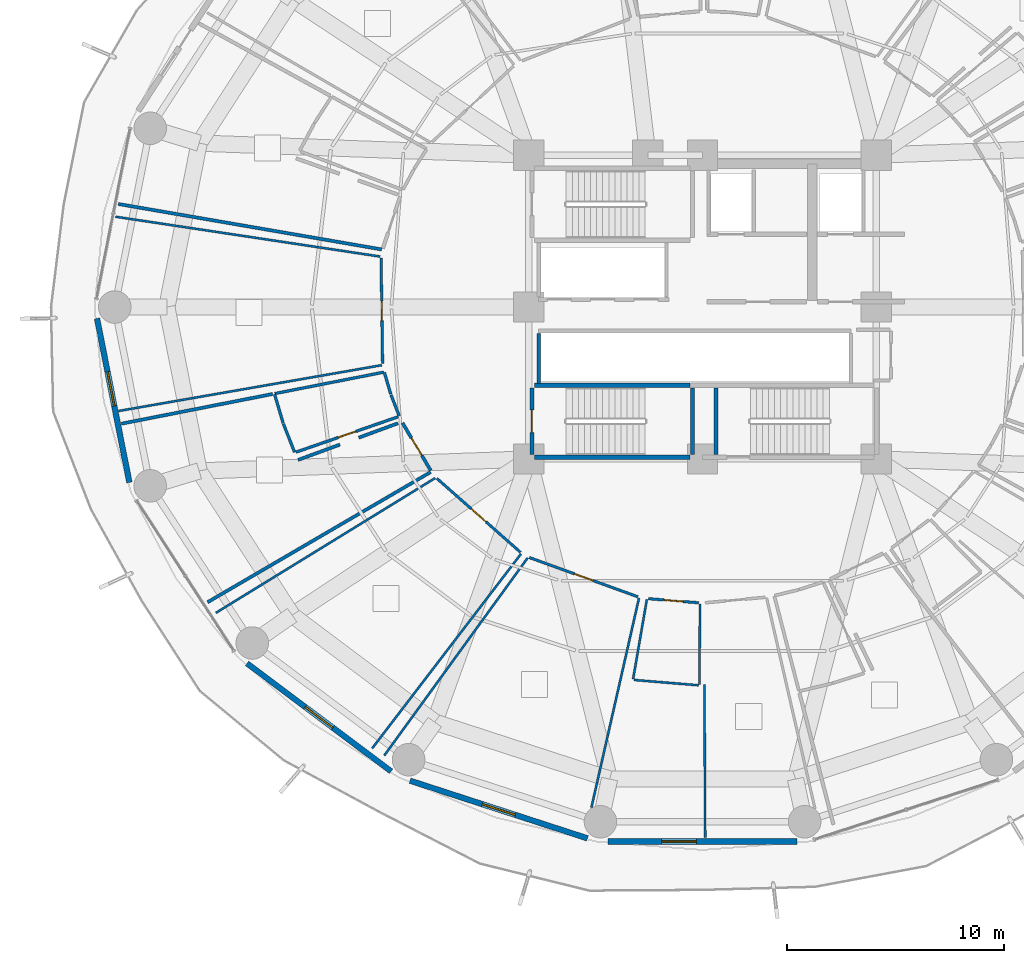
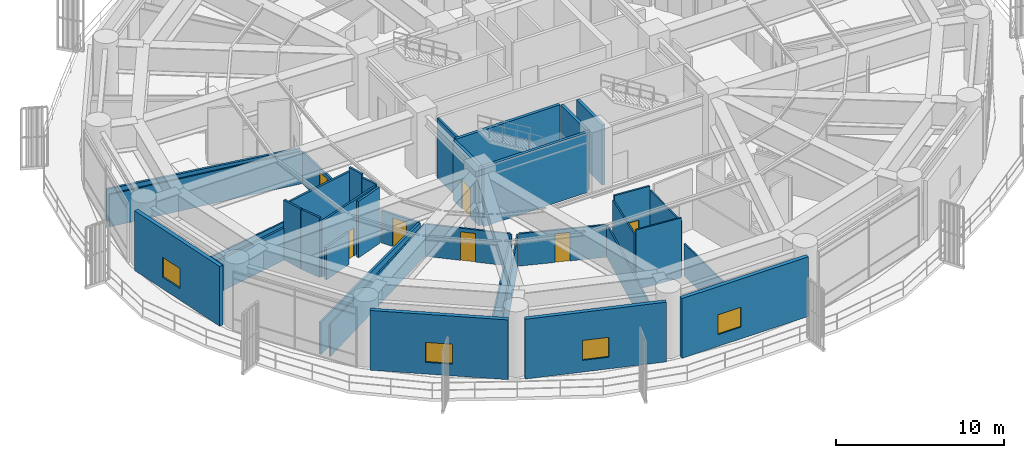
# One storey, part 21 of 31: 36 walls, 7 doors, 4 windows, 11 openings.
"""IFC4 building model written with IfcOpenShell, lengths in metres."""

from ifc_helpers import new_model, si_unit, direction, frame, frame_2d, origin, place, context, subcontext, project, spatial, rectangle, extrude, material, layer, layer_set, type_object, element, fill, save


model = new_model("IFC4")

# Units and contexts
model_context = context("Model", 3, precision=1e-05, world=origin(), true_north=direction((0.0, 1.0)))
body_context = subcontext(model_context, "Body", "Model", "MODEL_VIEW")
ifc_project = project(units=[si_unit("LENGTHUNIT", "METRE"), si_unit("AREAUNIT", "SQUARE_METRE"), si_unit("VOLUMEUNIT", "CUBIC_METRE"), si_unit("PLANEANGLEUNIT", "RADIAN"), si_unit("MASSUNIT", "GRAM", prefix="KILO")], contexts=[model_context])

# Site, building, storey
site_placement = place(None, origin())
site = spatial("IfcSite", under=ifc_project, at=site_placement, CompositionType="ELEMENT")
building_placement = place(site_placement, origin())
building = spatial("IfcBuilding", under=site, at=building_placement, Name="Kelanora Arch Commons", CompositionType="ELEMENT")
storey_placement = place(building_placement, frame((0.0, 0.0, 67.5)))
storey = spatial("IfcBuildingStorey", under=building, at=storey_placement, Name="L17", CompositionType="ELEMENT", Elevation=67.5)

# Wall
ifc_material_1 = material(Name="Autoclaved aerated concrete blockwork with fire plaster", Category="masonry")
ifc_layer_1 = layer(ifc_material_1, 0.14990234375)
ifc_layer_set_1 = layer_set([ifc_layer_1], Name="Autoclaved aerated concrete blockwork with fire plaster")
wall_type_1 = type_object("IfcWallType", Name="W-COMP-150", PredefinedType="PARTITIONING", material=ifc_layer_set_1)
wall_1_placement = place(storey_placement, frame((66.4599609375, 54.47998046875, 0.0), z_axis=(0.0, 0.0, 1.0), x_axis=(0.0, 1.0, 0.0)))
element("IfcWall", 1, at=wall_1_placement, inside=storey, type_object=wall_type_1, Name="South Lift Bank West Wall L17", PredefinedType="PARTITIONING", context=body_context, shape_type="SweptSolid", body=[
    extrude(rectangle(XDim=2.2900390625, YDim=0.14990234375, at=frame_2d((1.14501953125, 0.0))), origin(), (0.0, 0.0, 1.0), 4.35009765625),
])

# Wall, opening, door
wall_2_placement = place(storey_placement, frame((60.1787109375, 52.659423828125, 0.0), z_axis=(0.0, 0.0, 1.0), x_axis=(0.510684908265, -0.859767948036, 0.0)))
wall_2 = element("IfcWall", 2, at=wall_2_placement, inside=storey, type_object=wall_type_1, Name="Co-Living Studio L17-09 Entry Partition", PredefinedType="PARTITIONING", context=body_context, shape_type="SweptSolid", body=[
    extrude(rectangle(XDim=2.547119140625, YDim=0.14990234375, at=frame_2d((1.2734375, 0.0))), origin(), (0.0, 0.0, 1.0), 2.344970703125),
])
opening_1_placement = place(wall_2_placement, frame((0.799072265625, 0.0, 0.0)))
opening_1 = element("IfcOpeningElement", 3, at=opening_1_placement, cuts=wall_2, Name="Opening D-CLU1", PredefinedType="OPENING", context=body_context, shape_type="SweptSolid", body=[
    extrude(rectangle(XDim=0.949951171875, YDim=2.080078125, at=frame_2d((0.47509765625, 1.0400390625))), frame((0.0, 0.0849609375, 0.0), z_axis=(0.0, -1.0, 0.0), x_axis=(1.0, 0.0, 0.0)), (0.0, 0.0, 1.0), 0.169921875),
])
ifc_material_2 = material(Name="Solid-core acoustic timber cluster entry fire door", Category="wood")
door_type_1 = type_object("IfcDoorType", Name="D-CLU-95", OperationType="NOTDEFINED", PredefinedType="DOOR", material=ifc_material_2)
door_1_placement = place(opening_1_placement, origin())
door_1 = element("IfcDoor", 4, at=door_1_placement, inside=storey, type_object=door_type_1, Name="Co-Living Studio L17-09 Door", OperationType="SINGLE_SWING_LEFT", OverallHeight=2.080078125, OverallWidth=0.949951171875, PredefinedType="DOOR", context=body_context, shape_type="SweptSolid", body=[
    extrude(rectangle(XDim=0.949951171875, YDim=2.080078125, at=frame_2d((0.47509765625, 1.0400390625))), frame((0.0, 0.02490234375, 0.0), z_axis=(0.0, -1.0, 0.0), x_axis=(1.0, 0.0, 0.0)), (0.0, 0.0, 1.0), 0.050048828125),
])
fill(opening_1, door_1)

# Walls
wall_3_placement = place(storey_placement, frame((59.216552734375, 60.65380859375, 0.0), z_axis=(0.0, 0.0, 1.0), x_axis=(-0.985427357527, 0.170096804898, 0.0)))
element("IfcWall", 5, at=wall_3_placement, inside=storey, type_object=wall_type_1, Name="Co-Living Studio L17-07 Enclosure Partition 2", PredefinedType="PARTITIONING", context=body_context, shape_type="SweptSolid", body=[
    extrude(rectangle(XDim=12.3134765625, YDim=0.14990234375, at=frame_2d((6.15673828125, 0.0))), origin(), (0.0, 0.0, 1.0), 2.344970703125),
])
wall_4_placement = place(storey_placement, frame((61.4755859375, 50.397705078125, 0.0), z_axis=(0.0, 0.0, 1.0), x_axis=(-0.863734985538, -0.503946301462, 0.0)))
element("IfcWall", 6, at=wall_4_placement, inside=storey, type_object=wall_type_1, Name="Co-Living Studio L17-09 Enclosure Partition 2", PredefinedType="PARTITIONING", context=body_context, shape_type="SweptSolid", body=[
    extrude(rectangle(XDim=11.897216796875, YDim=0.14990234375, at=frame_2d((5.94873046875, 0.0))), origin(), (0.0, 0.0, 1.0), 2.344970703125),
])
wall_5_placement = place(storey_placement, frame((47.231201171875, 52.625732421875, 0.0), z_axis=(0.0, 0.0, 1.0), x_axis=(0.98124289703, 0.192775457535, 0.0)))
element("IfcWall", 7, at=wall_5_placement, inside=storey, type_object=wall_type_1, Name="Co-Living Studio L17-09 Enclosure Partition 5", PredefinedType="PARTITIONING", context=body_context, shape_type="SweptSolid", body=[
    extrude(rectangle(XDim=7.099609375, YDim=0.14990234375, at=frame_2d((3.5498046875, 0.0))), origin(), (0.0, 0.0, 1.0), 2.344970703125),
])
wall_6_placement = place(storey_placement, frame((55.366455078125, 50.955810546875, 0.0), z_axis=(0.0, 0.0, 1.0), x_axis=(0.938773982481, 0.344533612028, 0.0)))
element("IfcWall", 8, at=wall_6_placement, inside=storey, type_object=wall_type_1, Name="Co-Living Studio L17-09 Enclosure Partition 7", PredefinedType="PARTITIONING", context=body_context, shape_type="SweptSolid", body=[
    extrude(rectangle(XDim=2.05712890625, YDim=0.14990234375, at=frame_2d((1.028564453125, 0.0))), origin(), (0.0, 0.0, 1.0), 2.344970703125),
])
wall_7_placement = place(storey_placement, frame((58.161376953125, 51.981689453125, 0.0), z_axis=(0.0, 0.0, 1.0), x_axis=(0.938736795894, 0.344634919931, 0.0)))
element("IfcWall", 9, at=wall_7_placement, inside=storey, type_object=wall_type_1, Name="Co-Living Studio L17-09 Enclosure Partition 7", PredefinedType="PARTITIONING", context=body_context, shape_type="SweptSolid", body=[
    extrude(rectangle(XDim=1.924072265625, YDim=0.14990234375, at=frame_2d((0.9619140625, 0.0))), origin(), (0.0, 0.0, 1.0), 4.10498046875),
])

# Wall, opening, window
ifc_material_3 = material(Name="Precast concrete C40/50 with terracotta rainscreen", Category="masonry")
ifc_layer_2 = layer(ifc_material_3, 0.260009765625)
ifc_layer_set_2 = layer_set([ifc_layer_2], Name="Precast concrete C40/50 with terracotta rainscreen")
wall_type_2 = type_object("IfcWallType", Name="W-EXT-TC", PredefinedType="SOLIDWALL", material=ifc_layer_set_2)
wall_8_placement = place(storey_placement, frame((46.103515625, 57.4765625, 0.0), z_axis=(0.0, 0.0, 1.0), x_axis=(0.193726159581, -0.98105564322, 0.0)))
wall_8 = element("IfcWall", 10, at=wall_8_placement, inside=storey, type_object=wall_type_2, Name="Terracotta Exterior Wall L17-B09", PredefinedType="SOLIDWALL", context=body_context, shape_type="SweptSolid", body=[
    extrude(rectangle(XDim=7.70263671875, YDim=0.260009765625, at=frame_2d((3.851318359375, 0.0))), origin(), (0.0, 0.0, 1.0), 4.344970703125),
])
opening_2_placement = place(wall_8_placement, frame((2.510986328125, 0.0, 0.85009765625)))
opening_2 = element("IfcOpeningElement", 11, at=opening_2_placement, cuts=wall_8, Name="Opening WN-01", PredefinedType="OPENING", context=body_context, shape_type="SweptSolid", body=[
    extrude(rectangle(XDim=1.60009765625, YDim=1.449951171875, at=frame_2d((0.800048828125, 0.72509765625))), frame((0.0, 0.14013671875, 0.0), z_axis=(0.0, -1.0, 0.0), x_axis=(1.0, 0.0, 0.0)), (0.0, 0.0, 1.0), 0.280029296875),
])
ifc_material_4 = material(Name="Terracotta-anodised aluminium frame with operable low-E glazing", Category="masonry")
window_type = type_object("IfcWindowType", Name="WIN-CL-18", PartitioningType="DOUBLE_PANEL_VERTICAL", PredefinedType="WINDOW", material=ifc_material_4)
window_1_placement = place(opening_2_placement, origin())
window_1 = element("IfcWindow", 12, at=window_1_placement, inside=storey, type_object=window_type, Name="Co-Living Operable Window L17-B09", OverallHeight=1.449951171875, OverallWidth=1.60009765625, PartitioningType="SINGLE_PANEL", PredefinedType="WINDOW", context=body_context, shape_type="SweptSolid", body=[
    extrude(rectangle(XDim=1.60009765625, YDim=1.449951171875, at=frame_2d((0.800048828125, 0.72509765625))), frame((0.0, 0.030029296875, 0.0), z_axis=(0.0, -1.0, 0.0), x_axis=(1.0, 0.0, 0.0)), (0.0, 0.0, 1.0), 0.06005859375),
])
fill(opening_2, window_1)

wall_9_placement = place(storey_placement, frame((53.01611328125, 41.581787109375, 0.0), z_axis=(0.0, 0.0, 1.0), x_axis=(0.80030733173, -0.599590005569, 0.0)))
wall_9 = element("IfcWall", 13, at=wall_9_placement, inside=storey, type_object=wall_type_2, Name="Terracotta Exterior Wall L17-B11", PredefinedType="SOLIDWALL", context=body_context, shape_type="SweptSolid", body=[
    extrude(rectangle(XDim=8.29052734375, YDim=0.260009765625, at=frame_2d((4.145263671875, 0.0))), origin(), (0.0, 0.0, 1.0), 4.344970703125),
])
opening_3_placement = place(wall_9_placement, frame((3.344970703125, 0.0, 0.85009765625)))
opening_3 = element("IfcOpeningElement", 14, at=opening_3_placement, cuts=wall_9, Name="Opening WN-01", PredefinedType="OPENING", context=body_context, shape_type="SweptSolid", body=[
    extrude(rectangle(XDim=1.60009765625, YDim=1.449951171875, at=frame_2d((0.800048828125, 0.72509765625))), frame((0.0, 0.14013671875, 0.0), z_axis=(0.0, -1.0, 0.0), x_axis=(1.0, 0.0, 0.0)), (0.0, 0.0, 1.0), 0.280029296875),
])
window_2_placement = place(opening_3_placement, origin())
window_2 = element("IfcWindow", 15, at=window_2_placement, inside=storey, type_object=window_type, Name="Co-Living Operable Window L17-B11", OverallHeight=1.449951171875, OverallWidth=1.60009765625, PartitioningType="SINGLE_PANEL", PredefinedType="WINDOW", context=body_context, shape_type="SweptSolid", body=[
    extrude(rectangle(XDim=1.60009765625, YDim=1.449951171875, at=frame_2d((0.800048828125, 0.72509765625))), frame((0.0, 0.030029296875, 0.0), z_axis=(0.0, -1.0, 0.0), x_axis=(1.0, 0.0, 0.0)), (0.0, 0.0, 1.0), 0.06005859375),
])
fill(opening_3, window_2)

wall_10_placement = place(storey_placement, frame((60.5263671875, 36.178466796875, 0.0), z_axis=(0.0, 0.0, 1.0), x_axis=(0.951039914291, -0.309068085421, 0.0)))
wall_10 = element("IfcWall", 16, at=wall_10_placement, inside=storey, type_object=wall_type_2, Name="Terracotta Exterior Wall L17-B12", PredefinedType="SOLIDWALL", context=body_context, shape_type="SweptSolid", body=[
    extrude(rectangle(XDim=8.593505859375, YDim=0.260009765625, at=frame_2d((4.296875, 0.0))), origin(), (0.0, 0.0, 1.0), 4.344970703125),
])
opening_4_placement = place(wall_10_placement, frame((3.4970703125, 0.0, 0.85009765625)))
opening_4 = element("IfcOpeningElement", 17, at=opening_4_placement, cuts=wall_10, Name="Opening WN-01", PredefinedType="OPENING", context=body_context, shape_type="SweptSolid", body=[
    extrude(rectangle(XDim=1.60009765625, YDim=1.449951171875, at=frame_2d((0.800048828125, 0.72509765625))), frame((0.0, 0.14013671875, 0.0), z_axis=(0.0, -1.0, 0.0), x_axis=(1.0, 0.0, 0.0)), (0.0, 0.0, 1.0), 0.280029296875),
])
window_3_placement = place(opening_4_placement, origin())
window_3 = element("IfcWindow", 18, at=window_3_placement, inside=storey, type_object=window_type, Name="Co-Living Operable Window L17-B12", OverallHeight=1.449951171875, OverallWidth=1.60009765625, PartitioningType="SINGLE_PANEL", PredefinedType="WINDOW", context=body_context, shape_type="SweptSolid", body=[
    extrude(rectangle(XDim=1.60009765625, YDim=1.449951171875, at=frame_2d((0.800048828125, 0.72509765625))), frame((0.0, 0.030029296875, 0.0), z_axis=(0.0, -1.0, 0.0), x_axis=(1.0, 0.0, 0.0)), (0.0, 0.0, 1.0), 0.06005859375),
])
fill(opening_4, window_3)

wall_11_placement = place(storey_placement, frame((69.64404296875, 33.3798828125, 0.0), z_axis=(0.0, 0.0, 1.0), x_axis=(1.0, 0.0, 0.0)))
wall_11 = element("IfcWall", 19, at=wall_11_placement, inside=storey, type_object=wall_type_2, Name="Terracotta Exterior Wall L17-B13", PredefinedType="SOLIDWALL", context=body_context, shape_type="SweptSolid", body=[
    extrude(rectangle(XDim=8.7119140625, YDim=0.260009765625, at=frame_2d((4.35595703125, 0.0))), origin(), (0.0, 0.0, 1.0), 4.344970703125),
])
opening_5_placement = place(wall_11_placement, frame((2.47607421875, 0.0, 0.85009765625)))
opening_5 = element("IfcOpeningElement", 20, at=opening_5_placement, cuts=wall_11, Name="Opening WN-01", PredefinedType="OPENING", context=body_context, shape_type="SweptSolid", body=[
    extrude(rectangle(XDim=1.60009765625, YDim=1.449951171875, at=frame_2d((0.800048828125, 0.72509765625))), frame((0.0, 0.14013671875, 0.0), z_axis=(0.0, -1.0, 0.0), x_axis=(1.0, 0.0, 0.0)), (0.0, 0.0, 1.0), 0.280029296875),
])
window_4_placement = place(opening_5_placement, origin())
window_4 = element("IfcWindow", 21, at=window_4_placement, inside=storey, type_object=window_type, Name="Co-Living Operable Window L17-B13", OverallHeight=1.449951171875, OverallWidth=1.60009765625, PartitioningType="SINGLE_PANEL", PredefinedType="WINDOW", context=body_context, shape_type="SweptSolid", body=[
    extrude(rectangle(XDim=1.60009765625, YDim=1.449951171875, at=frame_2d((0.800048828125, 0.72509765625))), frame((0.0, 0.030029296875, 0.0), z_axis=(0.0, -1.0, 0.0), x_axis=(1.0, 0.0, 0.0)), (0.0, 0.0, 1.0), 0.06005859375),
])
fill(opening_5, window_4)

# Walls
ifc_material_5 = material(Name="Lightweight fire-rated acoustic stud partition")
ifc_layer_3 = layer(ifc_material_5, 0.10009765625)
ifc_layer_set_3 = layer_set([ifc_layer_3], Name="Lightweight fire-rated acoustic stud partition")
wall_type_3 = type_object("IfcWallType", Name="W-PART-100", PredefinedType="PARTITIONING", material=ifc_layer_set_3)
wall_12_placement = place(storey_placement, frame((59.2216796875, 55.322021484375, 0.0), z_axis=(0.0, 0.0, 1.0), x_axis=(-0.985176076522, -0.171546198583, 0.0)))
element("IfcWall", 22, at=wall_12_placement, inside=storey, type_object=wall_type_3, Name="Communal Dining and Social Hall L17-08 Enclosure Partition 2", PredefinedType="PARTITIONING", context=body_context, shape_type="SweptSolid", body=[
    extrude(rectangle(XDim=12.31201171875, YDim=0.10009765625, at=frame_2d((6.156005859375, 0.0))), origin(), (0.0, 0.0, 1.0), 2.344970703125),
])
wall_13_placement = place(storey_placement, frame((46.960693359375, 62.160888671875, 0.0), z_axis=(0.0, 0.0, 1.0), x_axis=(0.988857033015, -0.14886829164, 0.0)))
element("IfcWall", 23, at=wall_13_placement, inside=storey, type_object=wall_type_3, Name="Communal Dining and Social Hall L17-08 Enclosure Partition 4", PredefinedType="PARTITIONING", context=body_context, shape_type="SweptSolid", body=[
    extrude(rectangle(XDim=12.326171875, YDim=0.10009765625, at=frame_2d((6.1630859375, 0.0))), origin(), (0.0, 0.0, 1.0), 2.344970703125),
])
wall_14_placement = place(storey_placement, frame((65.63671875, 46.628173828125, 0.0), z_axis=(0.0, 0.0, 1.0), x_axis=(-0.607772837178, -0.79411093582, 0.0)))
element("IfcWall", 24, at=wall_14_placement, inside=storey, type_object=wall_type_3, Name="Quiet Seminar Study Room L17-10 Enclosure Partition 2", PredefinedType="PARTITIONING", context=body_context, shape_type="SweptSolid", body=[
    extrude(rectangle(XDim=11.2861328125, YDim=0.10009765625, at=frame_2d((5.64306640625, 0.0))), origin(), (0.0, 0.0, 1.0), 2.344970703125),
])
wall_15_placement = place(storey_placement, frame((51.5791015625, 43.909912109375, 0.0), z_axis=(0.0, 0.0, 1.0), x_axis=(0.851889323335, 0.523721854412, 0.0)))
element("IfcWall", 25, at=wall_15_placement, inside=storey, type_object=wall_type_3, Name="Quiet Seminar Study Room L17-10 Enclosure Partition 4", PredefinedType="PARTITIONING", context=body_context, shape_type="SweptSolid", body=[
    extrude(rectangle(XDim=11.861572265625, YDim=0.10009765625, at=frame_2d((5.9306640625, 0.0))), origin(), (0.0, 0.0, 1.0), 2.344970703125),
])
wall_16_placement = place(storey_placement, frame((71.072021484375, 44.591064453125, 0.0), z_axis=(0.0, 0.0, 1.0), x_axis=(-0.221583796209, -0.975141333991, 0.0)))
element("IfcWall", 26, at=wall_16_placement, inside=storey, type_object=wall_type_3, Name="Quiet Seminar Study Room L17-11 Enclosure Partition 2", PredefinedType="PARTITIONING", context=body_context, shape_type="SweptSolid", body=[
    extrude(rectangle(XDim=9.899658203125, YDim=0.10009765625, at=frame_2d((4.94970703125, 0.0))), origin(), (0.0, 0.0, 1.0), 2.344970703125),
])
wall_17_placement = place(storey_placement, frame((59.339599609375, 37.34033203125, 0.0), z_axis=(0.0, 0.0, 1.0), x_axis=(0.587198342421, 0.809443084261, 0.0)))
element("IfcWall", 27, at=wall_17_placement, inside=storey, type_object=wall_type_3, Name="Quiet Seminar Study Room L17-11 Enclosure Partition 4", PredefinedType="PARTITIONING", context=body_context, shape_type="SweptSolid", body=[
    extrude(rectangle(XDim=11.25, YDim=0.10009765625, at=frame_2d((5.625, 0.0))), origin(), (0.0, 0.0, 1.0), 2.344970703125),
])
wall_18_placement = place(storey_placement, frame((73.8837890625, 44.330078125, 0.0), z_axis=(0.0, 0.0, 1.0), x_axis=(-0.007943030453, -0.999968453636, 0.0)))
element("IfcWall", 28, at=wall_18_placement, inside=storey, type_object=wall_type_3, Name="Student Laundry Room L17-12 Enclosure Partition 2", PredefinedType="PARTITIONING", context=body_context, shape_type="SweptSolid", body=[
    extrude(rectangle(XDim=3.718994140625, YDim=0.10009765625, at=frame_2d((1.859375, 0.0))), origin(), (0.0, 0.0, 1.0), 4.044921875),
])
wall_19_placement = place(storey_placement, frame((73.814208984375, 40.57421875, 0.0), z_axis=(0.0, 0.0, 1.0), x_axis=(-0.996592348138, 0.08248449329, 0.0)))
element("IfcWall", 29, at=wall_19_placement, inside=storey, type_object=wall_type_3, Name="Student Laundry Room L17-12 Enclosure Partition 3", PredefinedType="PARTITIONING", context=body_context, shape_type="SweptSolid", body=[
    extrude(rectangle(XDim=2.989501953125, YDim=0.10009765625, at=frame_2d((1.49462890625, 0.0))), origin(), (0.0, 0.0, 1.0), 4.35009765625),
])
wall_20_placement = place(storey_placement, frame((70.8017578125, 40.86328125, 0.0), z_axis=(0.0, 0.0, 1.0), x_axis=(0.170280460959, 0.985395638622, 0.0)))
element("IfcWall", 30, at=wall_20_placement, inside=storey, type_object=wall_type_3, Name="Student Laundry Room L17-12 Enclosure Partition 4", PredefinedType="PARTITIONING", context=body_context, shape_type="SweptSolid", body=[
    extrude(rectangle(XDim=3.720703125, YDim=0.10009765625, at=frame_2d((1.8603515625, 0.0))), origin(), (0.0, 0.0, 1.0), 4.044921875),
])
wall_21_placement = place(storey_placement, frame((74.122802734375, 33.56005859375, 0.0), z_axis=(0.0, 0.0, 1.0), x_axis=(-0.005160461886, 0.999986684728, 0.0)))
element("IfcWall", 31, at=wall_21_placement, inside=storey, type_object=wall_type_3, Name="Quiet Reading Carrel L17-12 Enclosure Partition 4", PredefinedType="PARTITIONING", context=body_context, shape_type="SweptSolid", body=[
    extrude(rectangle(XDim=7.049072265625, YDim=0.10009765625, at=frame_2d((3.5244140625, 0.0))), origin(), (0.0, 0.0, 1.0), 2.344970703125),
])

# Wall, opening, door
ifc_material_6 = material(Name="Acoustic twin-stud fire-rated gypsum partition")
ifc_layer_4 = layer(ifc_material_6, 0.1201171875)
ifc_layer_set_4 = layer_set([ifc_layer_4], Name="Acoustic twin-stud fire-rated gypsum partition")
wall_type_4 = type_object("IfcWallType", Name="W-PART-120", PredefinedType="PARTITIONING", material=ifc_layer_set_4)
wall_22_placement = place(storey_placement, frame((59.18994140625, 60.260009765625, 0.0), z_axis=(0.0, 0.0, 1.0), x_axis=(0.014383034903, -0.999896558803, 0.0)))
wall_22 = element("IfcWall", 32, at=wall_22_placement, inside=storey, type_object=wall_type_4, Name="Communal Dining and Social Hall L17-08 Entry Partition", PredefinedType="PARTITIONING", context=body_context, shape_type="SweptSolid", body=[
    extrude(rectangle(XDim=4.87158203125, YDim=0.1201171875, at=frame_2d((2.435791015625, 0.0))), origin(), (0.0, 0.0, 1.0), 2.344970703125),
])
opening_6_placement = place(wall_22_placement, frame((1.986083984375, 0.0, 0.0)))
opening_6 = element("IfcOpeningElement", 33, at=opening_6_placement, cuts=wall_22, Name="Opening D-RM1", PredefinedType="OPENING", context=body_context, shape_type="SweptSolid", body=[
    extrude(rectangle(XDim=0.89990234375, YDim=2.080078125, at=frame_2d((0.449951171875, 1.0400390625))), frame((0.0, 0.070068359375, 0.0), z_axis=(0.0, -1.0, 0.0), x_axis=(1.0, 0.0, 0.0)), (0.0, 0.0, 1.0), 0.14013671875),
])
ifc_material_7 = material(Name="Acoustic fire-rated timber study and lounge door", Category="wood")
door_type_2 = type_object("IfcDoorType", Name="D-ROOM-90", OperationType="NOTDEFINED", PredefinedType="DOOR", material=ifc_material_7)
door_2_placement = place(opening_6_placement, origin())
door_2 = element("IfcDoor", 34, at=door_2_placement, inside=storey, type_object=door_type_2, Name="Communal Dining and Social Hall L17-08 Door", OperationType="SINGLE_SWING_LEFT", OverallHeight=2.080078125, OverallWidth=0.89990234375, PredefinedType="DOOR", context=body_context, shape_type="SweptSolid", body=[
    extrude(rectangle(XDim=0.89990234375, YDim=2.080078125, at=frame_2d((0.449951171875, 1.0400390625))), frame((0.0, 0.02490234375, 0.0), z_axis=(0.0, -1.0, 0.0), x_axis=(1.0, 0.0, 0.0)), (0.0, 0.0, 1.0), 0.050048828125),
])
fill(opening_6, door_2)

wall_23_placement = place(storey_placement, frame((61.762939453125, 50.103271484375, 0.0), z_axis=(0.0, 0.0, 1.0), x_axis=(0.749467713759, -0.662040894532, 0.0)))
wall_23 = element("IfcWall", 35, at=wall_23_placement, inside=storey, type_object=wall_type_4, Name="Quiet Seminar Study Room L17-10 Entry Partition", PredefinedType="PARTITIONING", context=body_context, shape_type="SweptSolid", body=[
    extrude(rectangle(XDim=5.14111328125, YDim=0.1201171875, at=frame_2d((2.570556640625, 0.0))), origin(), (0.0, 0.0, 1.0), 2.344970703125),
])
opening_7_placement = place(wall_23_placement, frame((2.12109375, 0.0, 0.0)))
opening_7 = element("IfcOpeningElement", 36, at=opening_7_placement, cuts=wall_23, Name="Opening D-RM1", PredefinedType="OPENING", context=body_context, shape_type="SweptSolid", body=[
    extrude(rectangle(XDim=0.89990234375, YDim=2.080078125, at=frame_2d((0.449951171875, 1.0400390625))), frame((0.0, 0.070068359375, 0.0), z_axis=(0.0, -1.0, 0.0), x_axis=(1.0, 0.0, 0.0)), (0.0, 0.0, 1.0), 0.14013671875),
])
door_3_placement = place(opening_7_placement, origin())
door_3 = element("IfcDoor", 37, at=door_3_placement, inside=storey, type_object=door_type_2, Name="Quiet Seminar Study Room L17-10 Door", OperationType="SINGLE_SWING_RIGHT", OverallHeight=2.080078125, OverallWidth=0.89990234375, PredefinedType="DOOR", context=body_context, shape_type="SweptSolid", body=[
    extrude(rectangle(XDim=0.89990234375, YDim=2.080078125, at=frame_2d((0.449951171875, 1.0400390625))), frame((0.0, 0.02490234375, 0.0), z_axis=(0.0, -1.0, 0.0), x_axis=(1.0, 0.0, 0.0)), (0.0, 0.0, 1.0), 0.050048828125),
])
fill(opening_7, door_3)

wall_24_placement = place(storey_placement, frame((66.025390625, 46.45849609375, 0.0), z_axis=(0.0, 0.0, 1.0), x_axis=(0.940384663849, -0.340112751891, 0.0)))
wall_24 = element("IfcWall", 38, at=wall_24_placement, inside=storey, type_object=wall_type_4, Name="Quiet Seminar Study Room L17-11 Entry Partition", PredefinedType="PARTITIONING", context=body_context, shape_type="SweptSolid", body=[
    extrude(rectangle(XDim=5.316162109375, YDim=0.1201171875, at=frame_2d((2.658203125, 0.0))), origin(), (0.0, 0.0, 1.0), 2.344970703125),
])
opening_8_placement = place(wall_24_placement, frame((2.2080078125, 0.0, 0.0)))
opening_8 = element("IfcOpeningElement", 39, at=opening_8_placement, cuts=wall_24, Name="Opening D-RM1", PredefinedType="OPENING", context=body_context, shape_type="SweptSolid", body=[
    extrude(rectangle(XDim=0.89990234375, YDim=2.080078125, at=frame_2d((0.449951171875, 1.0400390625))), frame((0.0, 0.070068359375, 0.0), z_axis=(0.0, -1.0, 0.0), x_axis=(1.0, 0.0, 0.0)), (0.0, 0.0, 1.0), 0.14013671875),
])
door_4_placement = place(opening_8_placement, origin())
door_4 = element("IfcDoor", 40, at=door_4_placement, inside=storey, type_object=door_type_2, Name="Quiet Seminar Study Room L17-11 Door", OperationType="SINGLE_SWING_LEFT", OverallHeight=2.080078125, OverallWidth=0.89990234375, PredefinedType="DOOR", context=body_context, shape_type="SweptSolid", body=[
    extrude(rectangle(XDim=0.89990234375, YDim=2.080078125, at=frame_2d((0.449951171875, 1.0400390625))), frame((0.0, 0.02490234375, 0.0), z_axis=(0.0, -1.0, 0.0), x_axis=(1.0, 0.0, 0.0)), (0.0, 0.0, 1.0), 0.050048828125),
])
fill(opening_8, door_4)

wall_25_placement = place(storey_placement, frame((71.501708984375, 44.564208984375, 0.0), z_axis=(0.0, 0.0, 1.0), x_axis=(0.996697953598, -0.081198456222, 0.0)))
wall_25 = element("IfcWall", 41, at=wall_25_placement, inside=storey, type_object=wall_type_4, Name="Student Laundry Room L17-12 Entry Partition", PredefinedType="PARTITIONING", context=body_context, shape_type="SweptSolid", body=[
    extrude(rectangle(XDim=2.330322265625, YDim=0.1201171875, at=frame_2d((1.1650390625, 0.0))), origin(), (0.0, 0.0, 1.0), 4.35009765625),
])
opening_9_placement = place(wall_25_placement, frame((0.715087890625, 0.0, 0.0)))
opening_9 = element("IfcOpeningElement", 42, at=opening_9_placement, cuts=wall_25, Name="Opening D-RM1", PredefinedType="OPENING", context=body_context, shape_type="SweptSolid", body=[
    extrude(rectangle(XDim=0.89990234375, YDim=2.080078125, at=frame_2d((0.449951171875, 1.0400390625))), frame((0.0, 0.070068359375, 0.0), z_axis=(0.0, -1.0, 0.0), x_axis=(1.0, 0.0, 0.0)), (0.0, 0.0, 1.0), 0.14013671875),
])
door_5_placement = place(opening_9_placement, origin())
door_5 = element("IfcDoor", 43, at=door_5_placement, inside=storey, type_object=door_type_2, Name="Student Laundry Room L17-12 Door", OperationType="SINGLE_SWING_RIGHT", OverallHeight=2.080078125, OverallWidth=0.89990234375, PredefinedType="DOOR", context=body_context, shape_type="SweptSolid", body=[
    extrude(rectangle(XDim=0.89990234375, YDim=2.080078125, at=frame_2d((0.449951171875, 1.0400390625))), frame((0.0, 0.02490234375, 0.0), z_axis=(0.0, -1.0, 0.0), x_axis=(1.0, 0.0, 0.0)), (0.0, 0.0, 1.0), 0.050048828125),
])
fill(opening_9, door_5)

# Walls
ifc_material_8 = material(Name="Concrete C40/50", Category="concrete")
ifc_layer_5 = layer(ifc_material_8, 0.199951171875)
ifc_layer_set_5 = layer_set([ifc_layer_5], Name="Concrete C40/50")
wall_type_5 = type_object("IfcWallType", Name="W-STAIR-200", PredefinedType="SHEAR", material=ifc_layer_set_5)
wall_26_placement = place(storey_placement, frame((74.6201171875, 54.27001953125, 0.0), z_axis=(0.0, 0.0, 1.0), x_axis=(0.0, -1.0, 0.0)))
element("IfcWall", 44, at=wall_26_placement, inside=storey, type_object=wall_type_5, Name="Stair ST-T2 Shaft Wall W L17", PredefinedType="SHEAR", context=body_context, shape_type="SweptSolid", body=[
    extrude(rectangle(XDim=3.070068359375, YDim=0.199951171875, at=frame_2d((1.53515625, 0.0))), origin(), (0.0, 0.0, 1.0), 4.360107421875),
])
wall_27_placement = place(storey_placement, frame((66.260009765625, 51.080078125, 0.0), z_axis=(0.0, 0.0, 1.0), x_axis=(1.0, 0.0, 0.0)))
element("IfcWall", 45, at=wall_27_placement, inside=storey, type_object=wall_type_5, Name="Stair ST-T3 Shaft Wall S L17", PredefinedType="SHEAR", context=body_context, shape_type="SweptSolid", body=[
    extrude(rectangle(XDim=7.159912109375, YDim=0.199951171875, at=frame_2d((3.580078125, 0.0))), origin(), (0.0, 0.0, 1.0), 4.360107421875),
])
wall_28_placement = place(storey_placement, frame((73.5400390625, 51.199951171875, 0.0), z_axis=(0.0, 0.0, 1.0), x_axis=(0.0, 1.0, 0.0)))
element("IfcWall", 46, at=wall_28_placement, inside=storey, type_object=wall_type_5, Name="Stair ST-T3 Shaft Wall E L17", PredefinedType="SHEAR", context=body_context, shape_type="SweptSolid", body=[
    extrude(rectangle(XDim=3.070068359375, YDim=0.199951171875, at=frame_2d((1.53515625, 0.0))), origin(), (0.0, 0.0, 1.0), 4.360107421875),
])
wall_29_placement = place(storey_placement, frame((73.419921875, 54.389892578125, 0.0), z_axis=(0.0, 0.0, 1.0), x_axis=(-1.0, 0.0, 0.0)))
element("IfcWall", 47, at=wall_29_placement, inside=storey, type_object=wall_type_5, Name="Stair ST-T3 Shaft Wall N L17", PredefinedType="SHEAR", context=body_context, shape_type="SweptSolid", body=[
    extrude(rectangle(XDim=7.159912109375, YDim=0.199951171875, at=frame_2d((3.580078125, 0.0))), origin(), (0.0, 0.0, 1.0), 4.360107421875),
])

# Wall, opening, door
wall_30_placement = place(storey_placement, frame((66.139892578125, 54.27001953125, 0.0), z_axis=(0.0, 0.0, 1.0), x_axis=(0.0, -1.0, 0.0)))
wall_30 = element("IfcWall", 48, at=wall_30_placement, inside=storey, type_object=wall_type_5, Name="Stair ST-T3 Shaft Wall W L17", PredefinedType="SHEAR", context=body_context, shape_type="SweptSolid", body=[
    extrude(rectangle(XDim=3.070068359375, YDim=0.199951171875, at=frame_2d((1.53515625, 0.0))), origin(), (0.0, 0.0, 1.0), 4.360107421875),
])
opening_10_placement = place(wall_30_placement, frame((1.010009765625, 0.0, 0.0)))
opening_10 = element("IfcOpeningElement", 49, at=opening_10_placement, cuts=wall_30, Name="Opening D-ST1", PredefinedType="OPENING", context=body_context, shape_type="SweptSolid", body=[
    extrude(rectangle(XDim=1.050048828125, YDim=2.10009765625, at=frame_2d((0.52490234375, 1.050048828125))), frame((0.0, 0.10986328125, 0.0), z_axis=(0.0, -1.0, 0.0), x_axis=(1.0, 0.0, 0.0)), (0.0, 0.0, 1.0), 0.219970703125),
])
ifc_material_9 = material(Name="Steel fire-rated stairwell escape door", Category="steel")
door_type_3 = type_object("IfcDoorType", Name="D-STAIR-110", OperationType="NOTDEFINED", PredefinedType="DOOR", material=ifc_material_9)
door_6_placement = place(opening_10_placement, origin())
door_6 = element("IfcDoor", 50, at=door_6_placement, inside=storey, type_object=door_type_3, Name="Stair ST-T3 Escape Door L17", OperationType="SINGLE_SWING_LEFT", OverallHeight=2.10009765625, OverallWidth=1.050048828125, PredefinedType="DOOR", context=body_context, shape_type="SweptSolid", body=[
    extrude(rectangle(XDim=1.050048828125, YDim=2.10009765625, at=frame_2d((0.52490234375, 1.050048828125))), frame((0.0, 0.02490234375, 0.0), z_axis=(0.0, -1.0, 0.0), x_axis=(1.0, 0.0, 0.0)), (0.0, 0.0, 1.0), 0.050048828125),
])
fill(opening_10, door_6)

ifc_material_10 = material(Name="Moisture-resistant fire-rated cement-board plumbing wall")
ifc_layer_6 = layer(ifc_material_10, 0.1298828125)
ifc_layer_set_6 = layer_set([ifc_layer_6], Name="Moisture-resistant fire-rated cement-board plumbing wall")
wall_type_6 = type_object("IfcWallType", Name="W-WET-120", PredefinedType="PLUMBINGWALL", material=ifc_layer_set_6)
wall_31_placement = place(storey_placement, frame((59.977294921875, 52.9443359375, 0.0), z_axis=(0.0, 0.0, 1.0), x_axis=(-0.945000053877, -0.327070173163, 0.0)))
wall_31 = element("IfcWall", 51, at=wall_31_placement, inside=storey, type_object=wall_type_6, Name="En-Suite Shower WC L17-09 Entry Partition", PredefinedType="PLUMBINGWALL", context=body_context, shape_type="SweptSolid", body=[
    extrude(rectangle(XDim=4.982421875, YDim=0.1298828125, at=frame_2d((2.4912109375, 0.0))), origin(), (0.0, 0.0, 1.0), 4.044921875),
])
opening_11_placement = place(wall_31_placement, frame((2.06103515625, 0.0, 0.0)))
opening_11 = element("IfcOpeningElement", 52, at=opening_11_placement, cuts=wall_31, Name="Opening D-BT1", PredefinedType="OPENING", context=body_context, shape_type="SweptSolid", body=[
    extrude(rectangle(XDim=0.860107421875, YDim=2.050048828125, at=frame_2d((0.43017578125, 1.02490234375))), frame((0.0, 0.074951171875, 0.0), z_axis=(0.0, -1.0, 0.0), x_axis=(1.0, 0.0, 0.0)), (0.0, 0.0, 1.0), 0.14990234375),
])
ifc_material_11 = material(Name="Moisture-sealed fire-rated accessible bathroom door")
door_type_4 = type_object("IfcDoorType", Name="D-BATH-85", OperationType="NOTDEFINED", PredefinedType="DOOR", material=ifc_material_11)
door_7_placement = place(opening_11_placement, origin())
door_7 = element("IfcDoor", 53, at=door_7_placement, inside=storey, type_object=door_type_4, Name="En-Suite Shower WC L17-09 Door", OperationType="SINGLE_SWING_RIGHT", OverallHeight=2.050048828125, OverallWidth=0.860107421875, PredefinedType="DOOR", context=body_context, shape_type="SweptSolid", body=[
    extrude(rectangle(XDim=0.860107421875, YDim=2.050048828125, at=frame_2d((0.43017578125, 1.02490234375))), frame((0.0, 0.02490234375, 0.0), z_axis=(0.0, -1.0, 0.0), x_axis=(1.0, 0.0, 0.0)), (0.0, 0.0, 1.0), 0.050048828125),
])
fill(opening_11, door_7)

# Walls
wall_32_placement = place(storey_placement, frame((59.34375, 54.98388671875, 0.0), z_axis=(0.0, 0.0, 1.0), x_axis=(0.282370492218, -0.959305428487, 0.0)))
element("IfcWall", 54, at=wall_32_placement, inside=storey, type_object=wall_type_6, Name="En-Suite Shower WC L17-09 Enclosure Partition 1", PredefinedType="PLUMBINGWALL", context=body_context, shape_type="SweptSolid", body=[
    extrude(rectangle(XDim=1.035888671875, YDim=0.1298828125, at=frame_2d((0.51806640625, 0.0))), origin(), (0.0, 0.0, 1.0), 4.35009765625),
])
wall_33_placement = place(storey_placement, frame((59.6494140625, 53.952392578125, 0.0), z_axis=(0.0, 0.0, 1.0), x_axis=(0.362514197989, -0.931978248811, 0.0)))
element("IfcWall", 55, at=wall_33_placement, inside=storey, type_object=wall_type_6, Name="En-Suite Shower WC L17-09 Enclosure Partition 2", PredefinedType="PLUMBINGWALL", context=body_context, shape_type="SweptSolid", body=[
    extrude(rectangle(XDim=1.04052734375, YDim=0.1298828125, at=frame_2d((0.520263671875, 0.0))), origin(), (0.0, 0.0, 1.0), 4.10498046875),
])
wall_34_placement = place(storey_placement, frame((55.20458984375, 51.313720703125, 0.0), z_axis=(0.0, 0.0, 1.0), x_axis=(-0.366277671592, 0.930505597669, 0.0)))
element("IfcWall", 56, at=wall_34_placement, inside=storey, type_object=wall_type_6, Name="En-Suite Shower WC L17-09 Enclosure Partition 4", PredefinedType="PLUMBINGWALL", context=body_context, shape_type="SweptSolid", body=[
    extrude(rectangle(XDim=1.401123046875, YDim=0.1298828125, at=frame_2d((0.70068359375, 0.0))), origin(), (0.0, 0.0, 1.0), 4.35009765625),
])
wall_35_placement = place(storey_placement, frame((54.67822265625, 52.6552734375, 0.0), z_axis=(0.0, 0.0, 1.0), x_axis=(-0.284613387728, 0.958642383543, 0.0)))
element("IfcWall", 57, at=wall_35_placement, inside=storey, type_object=wall_type_6, Name="En-Suite Shower WC L17-09 Enclosure Partition 5", PredefinedType="PLUMBINGWALL", context=body_context, shape_type="SweptSolid", body=[
    extrude(rectangle(XDim=1.39306640625, YDim=0.1298828125, at=frame_2d((0.696533203125, 0.0))), origin(), (0.0, 0.0, 1.0), 4.35009765625),
])
wall_36_placement = place(storey_placement, frame((54.295654296875, 54.013916015625, 0.0), z_axis=(0.0, 0.0, 1.0), x_axis=(0.981295026007, 0.192509926844, 0.0)))
element("IfcWall", 58, at=wall_36_placement, inside=storey, type_object=wall_type_6, Name="En-Suite Shower WC L17-09 Enclosure Partition 6", PredefinedType="PLUMBINGWALL", context=body_context, shape_type="SweptSolid", body=[
    extrude(rectangle(XDim=5.118408203125, YDim=0.1298828125, at=frame_2d((2.55908203125, 0.0))), origin(), (0.0, 0.0, 1.0), 4.044921875),
])

save(model, "model.ifc")
